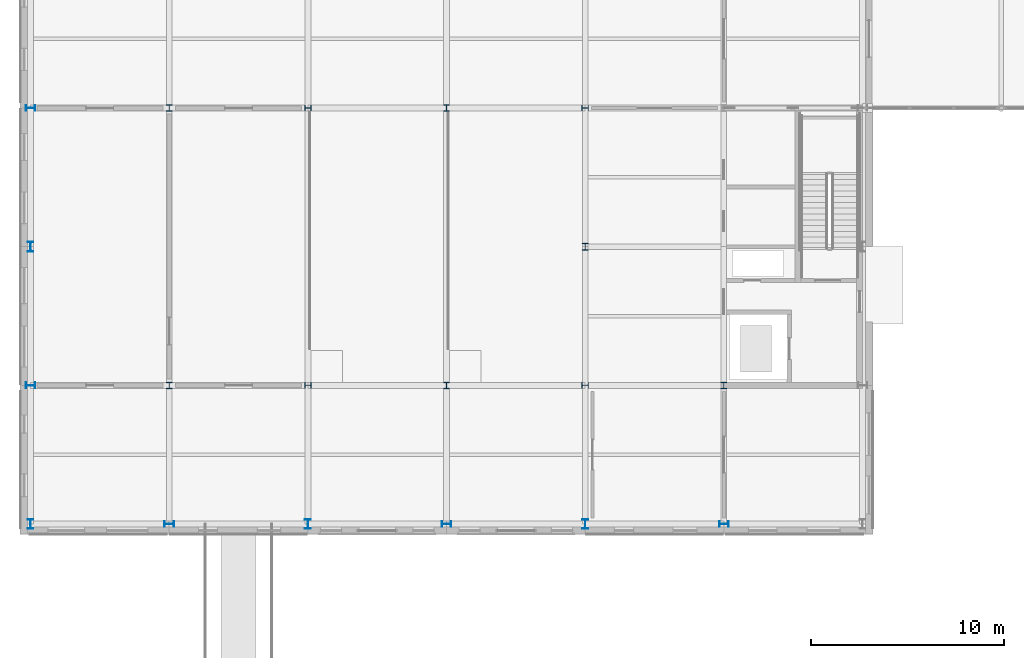
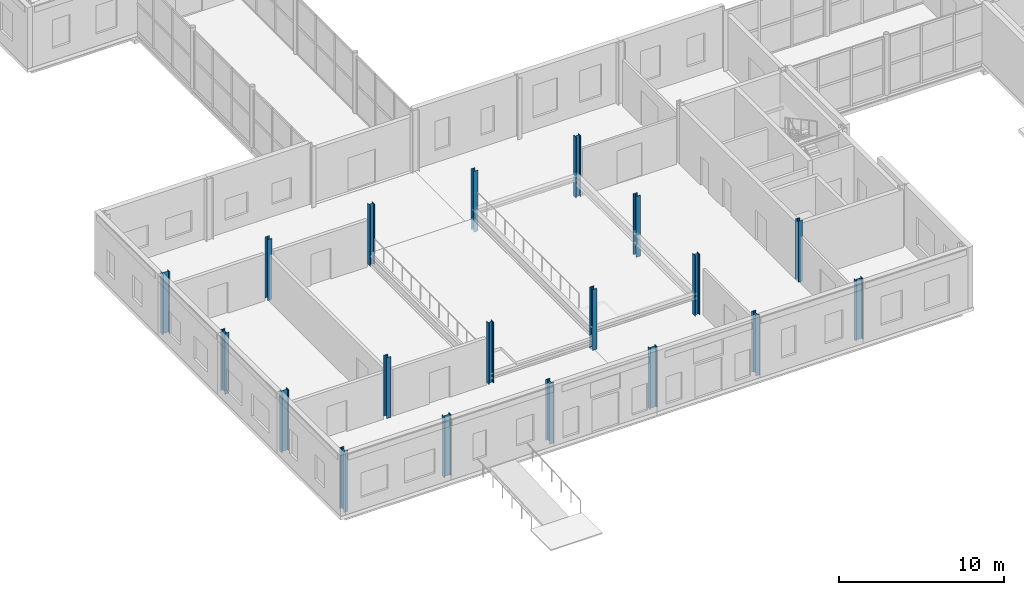
# One storey, part 1 of 92: 19 columns.
"""IFC4 building model written with IfcOpenShell, lengths in metres."""

from ifc_helpers import new_model, si_unit, direction, frame, origin, origin_2d, place, context, subcontext, project, spatial, i_section, extrude, material, material_profile, profile_set, type_object, element, save


model = new_model("IFC4")

# Units and contexts
model_context = context("Model", 3, precision=1e-05, world=origin(), true_north=direction((0.0, 1.0)))
body_context = subcontext(model_context, "Body", "Model", "MODEL_VIEW")
ifc_project = project(units=[si_unit("LENGTHUNIT", "METRE"), si_unit("AREAUNIT", "SQUARE_METRE"), si_unit("VOLUMEUNIT", "CUBIC_METRE"), si_unit("PLANEANGLEUNIT", "RADIAN"), si_unit("MASSUNIT", "GRAM", prefix="KILO")], contexts=[model_context])

# Site, building, storey
site_placement = place(None, origin())
site = spatial("IfcSite", under=ifc_project, at=site_placement, CompositionType="ELEMENT")
building_placement = place(site_placement, origin())
building = spatial("IfcBuilding", under=site, at=building_placement, Name="Zlatovets Crest Museum", CompositionType="ELEMENT")
storey_placement = place(building_placement, origin())
storey = spatial("IfcBuildingStorey", under=building, at=storey_placement, Name="L00", CompositionType="ELEMENT", Elevation=0.0)

# Columns
ifc_material = material(Name="Structural steel S355J2", Category="steel")
ifc_material_profile_1 = material_profile(ifc_material, i_section(OverallWidth=0.300048828125, OverallDepth=0.5, WebThickness=0.014404296875, FlangeThickness=0.028076171875, FilletRadius=0.027099609375, at=origin_2d()), Name="HEB 500")
ifc_profile_set_1 = profile_set([ifc_material_profile_1], Name="Structural steel S355J2")
column_type_1 = type_object("IfcColumnType", Name="Col_C-05", PredefinedType="COLUMN", material=ifc_profile_set_1)
for number, where, z_axis, x_axis, name in (
    (1, (0.0, 0.0, 0.0), (0.0, 0.0, 1.0), (1.0, 0.0, 0.0), "V3 L00 Column (0.0, 0.0)"),
    (2, (0.0, 7.199951171875, 0.0), (0.0, 0.0, 1.0), (0.0, 1.0, 0.0), "V3 L00 Column (0.0, 7.2)"),
    (3, (0.0, 14.39990234375, 0.0), (0.0, 0.0, 1.0), (1.0, 0.0, 0.0), "V3 L00 Column (0.0, 14.4)"),
    (4, (0.0, 21.60009765625, 0.0), (0.0, 0.0, 1.0), (0.0, 1.0, 0.0), "V3 L00 Column (0.0, 21.6)"),
    (5, (7.199951171875, 0.0, 0.0), (0.0, 0.0, 1.0), (0.0, 1.0, 0.0), "V3 L00 Column (7.2, 0.0)"),
    (6, (14.39990234375, 0.0, 0.0), (0.0, 0.0, 1.0), (1.0, 0.0, 0.0), "V3 L00 Column (14.4, 0.0)"),
    (7, (21.60009765625, 0.0, 0.0), (0.0, 0.0, 1.0), (0.0, 1.0, 0.0), "V3 L00 Column (21.6, 0.0)"),
    (8, (28.800048828125, 0.0, 0.0), (0.0, 0.0, 1.0), (1.0, 0.0, 0.0), "V3 L00 Column (28.8, 0.0)"),
    (9, (36.0, 0.0, 0.0), (0.0, 0.0, 1.0), (0.0, 1.0, 0.0), "V3 L00 Column (36.0, 0.0)"),
):
    element("IfcColumn", number, at=place(storey_placement, frame(where, z_axis=z_axis, x_axis=x_axis)), inside=storey, type_object=column_type_1, Name=name, PredefinedType="COLUMN", context=body_context, shape_type="SweptSolid", body=[
        extrude(i_section(OverallWidth=0.300048828125, OverallDepth=0.5, WebThickness=0.014404296875, FlangeThickness=0.028076171875, FilletRadius=0.027099609375, at=origin_2d()), origin(), (0.0, 0.0, 1.0), 4.5),
    ])
ifc_material_profile_2 = material_profile(ifc_material, i_section(OverallWidth=0.300048828125, OverallDepth=0.340087890625, WebThickness=0.011962890625, FlangeThickness=0.021484375, FilletRadius=0.027099609375, at=origin_2d()), Name="HEB 340")
ifc_profile_set_2 = profile_set([ifc_material_profile_2], Name="Structural steel S355J2")
column_type_2 = type_object("IfcColumnType", Name="Col_C-15", PredefinedType="COLUMN", material=ifc_profile_set_2)
for number, where, z_axis, x_axis, name in (
    (10, (7.199951171875, 7.199951171875, 0.0), (0.0, 0.0, 1.0), (1.0, 0.0, 0.0), "V3 L00 Column (7.2, 7.2)"),
    (11, (7.199951171875, 21.60009765625, 0.0), (0.0, 0.0, 1.0), (1.0, 0.0, 0.0), "V3 L00 Column (7.2, 21.6)"),
    (12, (14.39990234375, 7.199951171875, 0.0), (0.0, 0.0, 1.0), (0.0, 1.0, 0.0), "V3 L00 Column (14.4, 7.2)"),
    (13, (14.39990234375, 21.60009765625, 0.0), (0.0, 0.0, 1.0), (0.0, 1.0, 0.0), "V3 L00 Column (14.4, 21.6)"),
    (14, (21.60009765625, 7.199951171875, 0.0), (0.0, 0.0, 1.0), (1.0, 0.0, 0.0), "V3 L00 Column (21.6, 7.2)"),
    (15, (21.60009765625, 21.60009765625, 0.0), (0.0, 0.0, 1.0), (1.0, 0.0, 0.0), "V3 L00 Column (21.6, 21.6)"),
    (16, (28.800048828125, 7.199951171875, 0.0), (0.0, 0.0, 1.0), (0.0, 1.0, 0.0), "V3 L00 Column (28.8, 7.2)"),
    (17, (28.800048828125, 14.39990234375, 0.0), (0.0, 0.0, 1.0), (1.0, 0.0, 0.0), "V3 L00 Column (28.8, 14.4)"),
    (18, (28.800048828125, 21.60009765625, 0.0), (0.0, 0.0, 1.0), (0.0, 1.0, 0.0), "V3 L00 Column (28.8, 21.6)"),
    (19, (36.0, 7.199951171875, 0.0), (0.0, 0.0, 1.0), (1.0, 0.0, 0.0), "V3 L00 Column (36.0, 7.2)"),
):
    element("IfcColumn", number, at=place(storey_placement, frame(where, z_axis=z_axis, x_axis=x_axis)), inside=storey, type_object=column_type_2, Name=name, PredefinedType="COLUMN", context=body_context, shape_type="SweptSolid", body=[
        extrude(i_section(OverallWidth=0.300048828125, OverallDepth=0.340087890625, WebThickness=0.011962890625, FlangeThickness=0.021484375, FilletRadius=0.027099609375, at=origin_2d()), origin(), (0.0, 0.0, 1.0), 4.5),
    ])

save(model, "model.ifc")
